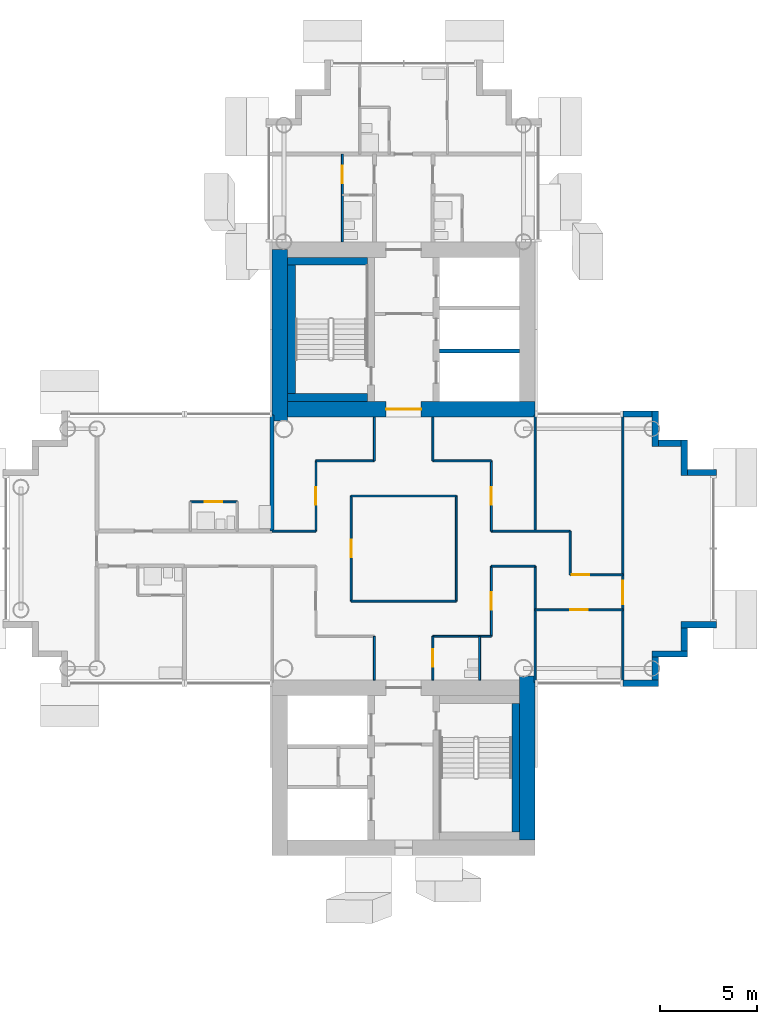
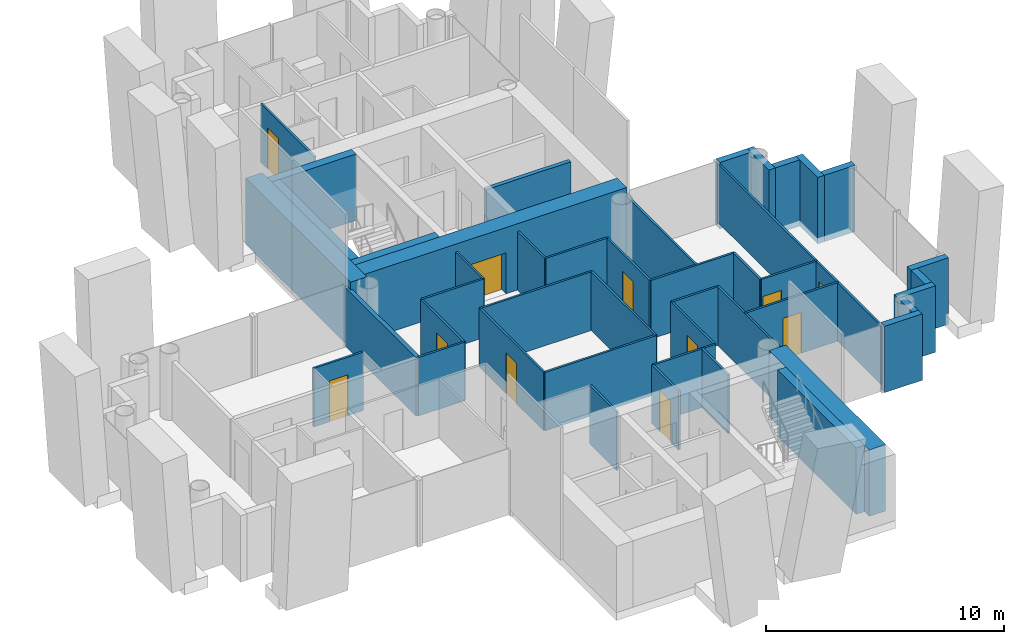
# One storey, part 10 of 18: 45 walls, 11 doors, 11 openings.
"""IFC4 building model written with IfcOpenShell, lengths in metres."""

from ifc_helpers import new_model, si_unit, direction, frame, frame_2d, origin, place, context, subcontext, project, spatial, rectangle, extrude, material, layer, layer_set, type_object, element, fill, save


model = new_model("IFC4")

# Units and contexts
model_context = context("Model", 3, precision=1e-05, world=origin(), true_north=direction((0.0, 1.0)))
body_context = subcontext(model_context, "Body", "Model", "MODEL_VIEW")
ifc_project = project(units=[si_unit("LENGTHUNIT", "METRE"), si_unit("AREAUNIT", "SQUARE_METRE"), si_unit("VOLUMEUNIT", "CUBIC_METRE"), si_unit("PLANEANGLEUNIT", "RADIAN"), si_unit("MASSUNIT", "GRAM", prefix="KILO")], contexts=[model_context])

# Site, building, storey
site_placement = place(None, origin())
site = spatial("IfcSite", under=ifc_project, at=site_placement, CompositionType="ELEMENT")
building_placement = place(site_placement, origin())
building = spatial("IfcBuilding", under=site, at=building_placement, Name="Ipe Terrace Towers", CompositionType="ELEMENT")
storey_placement = place(building_placement, frame((0.0, 0.0, 164.300048828125)))
storey = spatial("IfcBuildingStorey", under=building, at=storey_placement, Name="L45", CompositionType="ELEMENT", Elevation=164.300048828125)

# Walls
ifc_material_1 = material(Name="Concrete C40/50 with buff precast cladding", Category="concrete")
ifc_layer_1 = layer(ifc_material_1, 0.320068359375)
ifc_layer_set_1 = layer_set([ifc_layer_1], Name="BUFF CLADDING WALL 320")
wall_type_1 = type_object("IfcWallType", Name="BUFF CLADDING WALL 320", PredefinedType="STANDARD", material=ifc_layer_set_1)
wall_1_placement = place(storey_placement, frame((47.25, -6.909912109375, -0.300048828125), z_axis=(0.0, 0.0, 1.0), x_axis=(1.0, 0.0, 0.0)))
element("IfcWall", 1, at=wall_1_placement, inside=storey, type_object=wall_type_1, Name="T2-W-L45-03a wall", PredefinedType="STANDARD", context=body_context, shape_type="SweptSolid", body=[
    extrude(rectangle(XDim=1.820068359375, YDim=0.320068359375, at=frame_2d((0.91015625, 0.0))), origin(), (0.0, 0.0, 1.0), 3.39990234375),
])
wall_2_placement = place(storey_placement, frame((48.909912109375, -6.75, -0.300048828125), z_axis=(0.0, 0.0, 1.0), x_axis=(0.0, 1.0, 0.0)))
element("IfcWall", 2, at=wall_2_placement, inside=storey, type_object=wall_type_1, Name="T2-W-L45-04a wall", PredefinedType="STANDARD", context=body_context, shape_type="SweptSolid", body=[
    extrude(rectangle(XDim=1.179931640625, YDim=0.320068359375, at=frame_2d((0.58984375, 0.0))), origin(), (0.0, 0.0, 1.0), 3.39990234375),
])
wall_3_placement = place(storey_placement, frame((48.75, -5.409912109375, -0.300048828125), z_axis=(0.0, 0.0, 1.0), x_axis=(1.0, 0.0, 0.0)))
element("IfcWall", 3, at=wall_3_placement, inside=storey, type_object=wall_type_1, Name="T2-W-L45-05a wall", PredefinedType="STANDARD", context=body_context, shape_type="SweptSolid", body=[
    extrude(rectangle(XDim=1.820068359375, YDim=0.320068359375, at=frame_2d((0.91015625, 0.0))), origin(), (0.0, 0.0, 1.0), 3.39990234375),
])
wall_4_placement = place(storey_placement, frame((50.409912109375, -5.25, -0.300048828125), z_axis=(0.0, 0.0, 1.0), x_axis=(0.0, 1.0, 0.0)))
element("IfcWall", 4, at=wall_4_placement, inside=storey, type_object=wall_type_1, Name="T2-W-L45-06a wall", PredefinedType="STANDARD", context=body_context, shape_type="SweptSolid", body=[
    extrude(rectangle(XDim=1.179931640625, YDim=0.320068359375, at=frame_2d((0.58984375, 0.0))), origin(), (0.0, 0.0, 1.0), 3.39990234375),
])
wall_5_placement = place(storey_placement, frame((50.25, -3.909912109375, -0.300048828125), z_axis=(0.0, 0.0, 1.0), x_axis=(1.0, 0.0, 0.0)))
element("IfcWall", 5, at=wall_5_placement, inside=storey, type_object=wall_type_1, Name="T2-W-L45-07a wall", PredefinedType="STANDARD", context=body_context, shape_type="SweptSolid", body=[
    extrude(rectangle(XDim=1.820068359375, YDim=0.320068359375, at=frame_2d((0.91015625, 0.0))), origin(), (0.0, 0.0, 1.0), 3.39990234375),
])
wall_6_placement = place(storey_placement, frame((52.070068359375, 3.909912109375, -0.300048828125), z_axis=(0.0, 0.0, 1.0), x_axis=(-1.0, 0.0, 0.0)))
element("IfcWall", 6, at=wall_6_placement, inside=storey, type_object=wall_type_1, Name="T2-W-L45-09a wall", PredefinedType="STANDARD", context=body_context, shape_type="SweptSolid", body=[
    extrude(rectangle(XDim=1.5, YDim=0.320068359375, at=frame_2d((0.75, 0.0))), origin(), (0.0, 0.0, 1.0), 3.39990234375),
])
wall_7_placement = place(storey_placement, frame((50.409912109375, 3.75, -0.300048828125), z_axis=(0.0, 0.0, 1.0), x_axis=(0.0, 1.0, 0.0)))
element("IfcWall", 7, at=wall_7_placement, inside=storey, type_object=wall_type_1, Name="T2-W-L45-10a wall", PredefinedType="STANDARD", context=body_context, shape_type="SweptSolid", body=[
    extrude(rectangle(XDim=1.820068359375, YDim=0.320068359375, at=frame_2d((0.91015625, 0.0))), origin(), (0.0, 0.0, 1.0), 3.39990234375),
])
wall_8_placement = place(storey_placement, frame((50.25, 5.409912109375, -0.300048828125), z_axis=(0.0, 0.0, 1.0), x_axis=(-1.0, 0.0, 0.0)))
element("IfcWall", 8, at=wall_8_placement, inside=storey, type_object=wall_type_1, Name="T2-W-L45-11a wall", PredefinedType="STANDARD", context=body_context, shape_type="SweptSolid", body=[
    extrude(rectangle(XDim=1.179931640625, YDim=0.320068359375, at=frame_2d((0.58984375, 0.0))), origin(), (0.0, 0.0, 1.0), 3.39990234375),
])
wall_9_placement = place(storey_placement, frame((48.909912109375, 5.25, -0.300048828125), z_axis=(0.0, 0.0, 1.0), x_axis=(0.0, 1.0, 0.0)))
element("IfcWall", 9, at=wall_9_placement, inside=storey, type_object=wall_type_1, Name="T2-W-L45-12a wall", PredefinedType="STANDARD", context=body_context, shape_type="SweptSolid", body=[
    extrude(rectangle(XDim=1.820068359375, YDim=0.320068359375, at=frame_2d((0.91015625, 0.0))), origin(), (0.0, 0.0, 1.0), 3.39990234375),
])
wall_10_placement = place(storey_placement, frame((48.75, 6.909912109375, -0.300048828125), z_axis=(0.0, 0.0, 1.0), x_axis=(-1.0, 0.0, 0.0)))
element("IfcWall", 10, at=wall_10_placement, inside=storey, type_object=wall_type_1, Name="T2-W-L45-13a wall", PredefinedType="STANDARD", context=body_context, shape_type="SweptSolid", body=[
    extrude(rectangle(XDim=1.5, YDim=0.320068359375, at=frame_2d((0.75, 0.0))), origin(), (0.0, 0.0, 1.0), 3.39990234375),
])
ifc_material_2 = material(Name="Gypsum board partition", Category="plasterboard")
ifc_layer_2 = layer(ifc_material_2, 0.10009765625)
ifc_layer_set_2 = layer_set([ifc_layer_2], Name="Gypsum board partition 100 mm")
wall_type_2 = type_object("IfcWallType", Name="Gypsum board partition 100 mm", PredefinedType="PARTITIONING", material=ifc_layer_set_2)
wall_11_placement = place(storey_placement, frame((40.5, -4.5, 0.0), z_axis=(0.0, 0.0, 1.0), x_axis=(-1.0, 0.0, 0.0)))
element("IfcWall", 11, at=wall_11_placement, inside=storey, type_object=wall_type_2, Name="Gypsum board partition T2 L45 W01", PredefinedType="PARTITIONING", context=body_context, shape_type="SweptSolid", body=[
    extrude(rectangle(XDim=3.0, YDim=0.10009765625, at=frame_2d((1.5, 0.0))), origin(), (0.0, 0.0, 1.0), 3.0),
])

# Wall, opening, door
wall_12_placement = place(storey_placement, frame((47.25, -3.14990234375, 0.0), z_axis=(0.0, 0.0, 1.0), x_axis=(-1.0, 0.0, 0.0)))
wall_12 = element("IfcWall", 12, at=wall_12_placement, inside=storey, type_object=wall_type_2, Name="Gypsum board partition T2 L45 W03", PredefinedType="PARTITIONING", context=body_context, shape_type="SweptSolid", body=[
    extrude(rectangle(XDim=4.5, YDim=0.10009765625, at=frame_2d((2.25, 0.0))), origin(), (0.0, 0.0, 1.0), 3.0),
])
opening_1_placement = place(wall_12_placement, frame((1.800048828125, 0.0, 0.0)))
opening_1 = element("IfcOpeningElement", 13, at=opening_1_placement, cuts=wall_12, Name="Opening T2-Z3F-14", PredefinedType="OPENING", context=body_context, shape_type="SweptSolid", body=[
    extrude(rectangle(XDim=0.89990234375, YDim=2.10009765625, at=frame_2d((0.449951171875, 1.050048828125))), frame((0.0, 0.06005859375, 0.0), z_axis=(0.0, -1.0, 0.0), x_axis=(1.0, 0.0, 0.0)), (0.0, 0.0, 1.0), 0.1201171875),
])
ifc_material_3 = material(Name="Timber door leaf", Category="wood")
door_type_1 = type_object("IfcDoorType", Name="Lounge door 900 x 2100", OperationType="NOTDEFINED", PredefinedType="DOOR", material=ifc_material_3)
door_1_placement = place(opening_1_placement, origin())
door_1 = element("IfcDoor", 14, at=door_1_placement, inside=storey, type_object=door_type_1, Name="Lounge door T2-Z3F-14", OperationType="SINGLE_SWING_LEFT", OverallHeight=2.10009765625, OverallWidth=0.89990234375, PredefinedType="DOOR", context=body_context, shape_type="SweptSolid", body=[
    extrude(rectangle(XDim=0.89990234375, YDim=2.10009765625, at=frame_2d((0.449951171875, 1.050048828125))), frame((0.0, 0.02490234375, 0.0), z_axis=(0.0, -1.0, 0.0), x_axis=(1.0, 0.0, 0.0)), (0.0, 0.0, 1.0), 0.050048828125),
])
fill(opening_1, door_1)

# Wall
wall_13_placement = place(storey_placement, frame((38.699951171875, -2.699951171875, 0.0), z_axis=(0.0, 0.0, 1.0), x_axis=(-1.0, 0.0, 0.0)))
element("IfcWall", 15, at=wall_13_placement, inside=storey, type_object=wall_type_2, Name="Gypsum board partition T2 L45 W04", PredefinedType="PARTITIONING", context=body_context, shape_type="SweptSolid", body=[
    extrude(rectangle(XDim=5.39990234375, YDim=0.10009765625, at=frame_2d((2.699951171875, 0.0))), origin(), (0.0, 0.0, 1.0), 3.0),
])

# Wall, opening, door
wall_14_placement = place(storey_placement, frame((47.25, -1.35009765625, 0.0), z_axis=(0.0, 0.0, 1.0), x_axis=(-1.0, 0.0, 0.0)))
wall_14 = element("IfcWall", 16, at=wall_14_placement, inside=storey, type_object=wall_type_2, Name="Gypsum board partition T2 L45 W06", PredefinedType="PARTITIONING", context=body_context, shape_type="SweptSolid", body=[
    extrude(rectangle(XDim=2.699951171875, YDim=0.10009765625, at=frame_2d((1.35009765625, 0.0))), origin(), (0.0, 0.0, 1.0), 3.0),
])
opening_2_placement = place(wall_14_placement, frame((1.72998046875, 0.0, 0.0)))
opening_2 = element("IfcOpeningElement", 17, at=opening_2_placement, cuts=wall_14, Name="Opening T2-Z3F-13", PredefinedType="OPENING", context=body_context, shape_type="SweptSolid", body=[
    extrude(rectangle(XDim=0.89990234375, YDim=2.10009765625, at=frame_2d((0.449951171875, 1.050048828125))), frame((0.0, 0.06005859375, 0.0), z_axis=(0.0, -1.0, 0.0), x_axis=(1.0, 0.0, 0.0)), (0.0, 0.0, 1.0), 0.1201171875),
])
door_2_placement = place(opening_2_placement, origin())
door_2 = element("IfcDoor", 18, at=door_2_placement, inside=storey, type_object=door_type_1, Name="Lounge door T2-Z3F-13", OperationType="SINGLE_SWING_RIGHT", OverallHeight=2.10009765625, OverallWidth=0.89990234375, PredefinedType="DOOR", context=body_context, shape_type="SweptSolid", body=[
    extrude(rectangle(XDim=0.89990234375, YDim=2.10009765625, at=frame_2d((0.449951171875, 1.050048828125))), frame((0.0, 0.02490234375, 0.0), z_axis=(0.0, -1.0, 0.0), x_axis=(1.0, 0.0, 0.0)), (0.0, 0.0, 1.0), 0.050048828125),
])
fill(opening_2, door_2)

# Walls
wall_15_placement = place(storey_placement, frame((42.75, -0.89990234375, 0.0), z_axis=(0.0, 0.0, 1.0), x_axis=(-1.0, 0.0, 0.0)))
element("IfcWall", 19, at=wall_15_placement, inside=storey, type_object=wall_type_2, Name="Gypsum board partition T2 L45 W07", PredefinedType="PARTITIONING", context=body_context, shape_type="SweptSolid", body=[
    extrude(rectangle(XDim=2.25, YDim=0.10009765625, at=frame_2d((1.125, 0.0))), origin(), (0.0, 0.0, 1.0), 3.0),
])
wall_16_placement = place(storey_placement, frame((44.550048828125, 0.89990234375, 0.0), z_axis=(0.0, 0.0, 1.0), x_axis=(-1.0, 0.0, 0.0)))
element("IfcWall", 20, at=wall_16_placement, inside=storey, type_object=wall_type_2, Name="Gypsum board partition T2 L45 W10", PredefinedType="PARTITIONING", context=body_context, shape_type="SweptSolid", body=[
    extrude(rectangle(XDim=4.050048828125, YDim=0.10009765625, at=frame_2d((2.02490234375, 0.0))), origin(), (0.0, 0.0, 1.0), 3.0),
])
wall_17_placement = place(storey_placement, frame((31.5, 0.89990234375, 0.0), z_axis=(0.0, 0.0, 1.0), x_axis=(-1.0, 0.0, 0.0)))
element("IfcWall", 21, at=wall_17_placement, inside=storey, type_object=wall_type_2, Name="Gypsum board partition T2 L45 W11", PredefinedType="PARTITIONING", context=body_context, shape_type="SweptSolid", body=[
    extrude(rectangle(XDim=2.25, YDim=0.10009765625, at=frame_2d((1.125, 0.0))), origin(), (0.0, 0.0, 1.0), 3.0),
])

# Wall, opening, door
wall_18_placement = place(storey_placement, frame((27.449951171875, 2.39990234375, 0.0), z_axis=(0.0, 0.0, 1.0), x_axis=(-1.0, 0.0, 0.0)))
wall_18 = element("IfcWall", 22, at=wall_18_placement, inside=storey, type_object=wall_type_2, Name="Gypsum board partition T2 L45 W13", PredefinedType="PARTITIONING", context=body_context, shape_type="SweptSolid", body=[
    extrude(rectangle(XDim=2.39990234375, YDim=0.10009765625, at=frame_2d((1.199951171875, 0.0))), origin(), (0.0, 0.0, 1.0), 3.0),
])
opening_3_placement = place(wall_18_placement, frame((0.75, 0.0, 0.0)))
opening_3 = element("IfcOpeningElement", 23, at=opening_3_placement, cuts=wall_18, Name="Opening T2-Z3F-11", PredefinedType="OPENING", context=body_context, shape_type="SweptSolid", body=[
    extrude(rectangle(XDim=0.89990234375, YDim=2.10009765625, at=frame_2d((0.449951171875, 1.050048828125))), frame((0.0, 0.06005859375, 0.0), z_axis=(0.0, -1.0, 0.0), x_axis=(1.0, 0.0, 0.0)), (0.0, 0.0, 1.0), 0.1201171875),
])
ifc_material_4 = material(Name="Timber door leaf", Category="wood")
door_type_2 = type_object("IfcDoorType", Name="Bathroom door 900 x 2100", OperationType="NOTDEFINED", PredefinedType="DOOR", material=ifc_material_4)
door_3_placement = place(opening_3_placement, origin())
door_3 = element("IfcDoor", 24, at=door_3_placement, inside=storey, type_object=door_type_2, Name="Bathroom door T2-Z3F-11", OperationType="SINGLE_SWING_LEFT", OverallHeight=2.10009765625, OverallWidth=0.89990234375, PredefinedType="DOOR", context=body_context, shape_type="SweptSolid", body=[
    extrude(rectangle(XDim=0.89990234375, YDim=2.10009765625, at=frame_2d((0.449951171875, 1.050048828125))), frame((0.0, 0.02490234375, 0.0), z_axis=(0.0, -1.0, 0.0), x_axis=(1.0, 0.0, 0.0)), (0.0, 0.0, 1.0), 0.050048828125),
])
fill(opening_3, door_3)

# Walls
wall_19_placement = place(storey_placement, frame((38.699951171875, 2.699951171875, 0.0), z_axis=(0.0, 0.0, 1.0), x_axis=(-1.0, 0.0, 0.0)))
element("IfcWall", 25, at=wall_19_placement, inside=storey, type_object=wall_type_2, Name="Gypsum board partition T2 L45 W14", PredefinedType="PARTITIONING", context=body_context, shape_type="SweptSolid", body=[
    extrude(rectangle(XDim=5.39990234375, YDim=0.10009765625, at=frame_2d((2.699951171875, 0.0))), origin(), (0.0, 0.0, 1.0), 3.0),
])
for number, where, z_axis, x_axis, name in (
    (26, (40.5, 4.5, 0.0), (0.0, 0.0, 1.0), (-1.0, 0.0, 0.0), "Gypsum board partition T2 L45 W15"),
    (27, (34.5, 4.5, 0.0), (0.0, 0.0, 1.0), (-1.0, 0.0, 0.0), "Gypsum board partition T2 L45 W16"),
):
    element("IfcWall", number, at=place(storey_placement, frame(where, z_axis=z_axis, x_axis=x_axis)), inside=storey, type_object=wall_type_2, Name=name, PredefinedType="PARTITIONING", context=body_context, shape_type="SweptSolid", body=[
        extrude(rectangle(XDim=3.0, YDim=0.10009765625, at=frame_2d((1.5, 0.0))), origin(), (0.0, 0.0, 1.0), 3.0),
    ])

# Wall, opening, door
wall_20_placement = place(storey_placement, frame((47.25, -6.85009765625, 0.0), z_axis=(0.0, 0.0, 1.0), x_axis=(0.0, 1.0, 0.0)))
wall_20 = element("IfcWall", 28, at=wall_20_placement, inside=storey, type_object=wall_type_2, Name="Gypsum board partition T2 L45 W21", PredefinedType="PARTITIONING", context=body_context, shape_type="SweptSolid", body=[
    extrude(rectangle(XDim=13.7001953125, YDim=0.10009765625, at=frame_2d((6.85009765625, 0.0))), origin(), (0.0, 0.0, 1.0), 3.0),
])
opening_4_placement = place(wall_20_placement, frame((4.0, 0.0, 0.0)))
opening_4 = element("IfcOpeningElement", 29, at=opening_4_placement, cuts=wall_20, Name="Opening T2-Z3F-15", PredefinedType="OPENING", context=body_context, shape_type="SweptSolid", body=[
    extrude(rectangle(XDim=1.199951171875, YDim=2.10009765625, at=frame_2d((0.60009765625, 1.050048828125))), frame((0.0, 0.06005859375, 0.0), z_axis=(0.0, -1.0, 0.0), x_axis=(1.0, 0.0, 0.0)), (0.0, 0.0, 1.0), 0.1201171875),
])
ifc_material_5 = material(Name="Timber door leaf", Category="wood")
door_type_3 = type_object("IfcDoorType", Name="Lounge door 1200 x 2100", OperationType="NOTDEFINED", PredefinedType="DOOR", material=ifc_material_5)
door_4_placement = place(opening_4_placement, origin())
door_4 = element("IfcDoor", 30, at=door_4_placement, inside=storey, type_object=door_type_3, Name="Lounge door T2-Z3F-15", OperationType="SINGLE_SWING_LEFT", OverallHeight=2.10009765625, OverallWidth=1.199951171875, PredefinedType="DOOR", context=body_context, shape_type="SweptSolid", body=[
    extrude(rectangle(XDim=1.199951171875, YDim=2.10009765625, at=frame_2d((0.60009765625, 1.050048828125))), frame((0.0, 0.02490234375, 0.0), z_axis=(0.0, -1.0, 0.0), x_axis=(1.0, 0.0, 0.0)), (0.0, 0.0, 1.0), 0.050048828125),
])
fill(opening_4, door_4)

# Walls
wall_21_placement = place(storey_placement, frame((44.550048828125, -1.35009765625, 0.0), z_axis=(0.0, 0.0, 1.0), x_axis=(0.0, 1.0, 0.0)))
element("IfcWall", 31, at=wall_21_placement, inside=storey, type_object=wall_type_2, Name="Gypsum board partition T2 L45 W22", PredefinedType="PARTITIONING", context=body_context, shape_type="SweptSolid", body=[
    extrude(rectangle(XDim=2.25, YDim=0.10009765625, at=frame_2d((1.125, 0.0))), origin(), (0.0, 0.0, 1.0), 3.0),
])
for number, where, z_axis, x_axis, name in (
    (32, (42.75, -6.85009765625, 0.0), (0.0, 0.0, 1.0), (0.0, 1.0, 0.0), "Gypsum board partition T2 L45 W23"),
    (33, (42.75, 0.89990234375, 0.0), (0.0, 0.0, 1.0), (0.0, 1.0, 0.0), "Gypsum board partition T2 L45 W24"),
):
    element("IfcWall", number, at=place(storey_placement, frame(where, z_axis=z_axis, x_axis=x_axis)), inside=storey, type_object=wall_type_2, Name=name, PredefinedType="PARTITIONING", context=body_context, shape_type="SweptSolid", body=[
        extrude(rectangle(XDim=5.9501953125, YDim=0.10009765625, at=frame_2d((2.97509765625, 0.0))), origin(), (0.0, 0.0, 1.0), 3.0),
    ])

# Wall, opening, door
wall_22_placement = place(storey_placement, frame((40.5, -4.5, 0.0), z_axis=(0.0, 0.0, 1.0), x_axis=(0.0, 1.0, 0.0)))
wall_22 = element("IfcWall", 34, at=wall_22_placement, inside=storey, type_object=wall_type_2, Name="Gypsum board partition T2 L45 W25", PredefinedType="PARTITIONING", context=body_context, shape_type="SweptSolid", body=[
    extrude(rectangle(XDim=3.60009765625, YDim=0.10009765625, at=frame_2d((1.800048828125, 0.0))), origin(), (0.0, 0.0, 1.0), 3.0),
])
opening_5_placement = place(wall_22_placement, frame((1.35009765625, 0.0, 0.0)))
opening_5 = element("IfcOpeningElement", 35, at=opening_5_placement, cuts=wall_22, Name="Opening T2-Z3F-05", PredefinedType="OPENING", context=body_context, shape_type="SweptSolid", body=[
    extrude(rectangle(XDim=0.89990234375, YDim=2.10009765625, at=frame_2d((0.449951171875, 1.050048828125))), frame((0.0, 0.06005859375, 0.0), z_axis=(0.0, -1.0, 0.0), x_axis=(1.0, 0.0, 0.0)), (0.0, 0.0, 1.0), 0.1201171875),
])
door_5_placement = place(opening_5_placement, origin())
door_5 = element("IfcDoor", 36, at=door_5_placement, inside=storey, type_object=door_type_1, Name="Lounge door T2-Z3F-05", OperationType="SINGLE_SWING_LEFT", OverallHeight=2.10009765625, OverallWidth=0.89990234375, PredefinedType="DOOR", context=body_context, shape_type="SweptSolid", body=[
    extrude(rectangle(XDim=0.89990234375, YDim=2.10009765625, at=frame_2d((0.449951171875, 1.050048828125))), frame((0.0, 0.02490234375, 0.0), z_axis=(0.0, -1.0, 0.0), x_axis=(1.0, 0.0, 0.0)), (0.0, 0.0, 1.0), 0.050048828125),
])
fill(opening_5, door_5)

wall_23_placement = place(storey_placement, frame((40.5, 0.89990234375, 0.0), z_axis=(0.0, 0.0, 1.0), x_axis=(0.0, 1.0, 0.0)))
wall_23 = element("IfcWall", 37, at=wall_23_placement, inside=storey, type_object=wall_type_2, Name="Gypsum board partition T2 L45 W26", PredefinedType="PARTITIONING", context=body_context, shape_type="SweptSolid", body=[
    extrude(rectangle(XDim=3.60009765625, YDim=0.10009765625, at=frame_2d((1.800048828125, 0.0))), origin(), (0.0, 0.0, 1.0), 3.0),
])
opening_6_placement = place(wall_23_placement, frame((1.35009765625, 0.0, 0.0)))
opening_6 = element("IfcOpeningElement", 38, at=opening_6_placement, cuts=wall_23, Name="Opening T2-Z3F-06", PredefinedType="OPENING", context=body_context, shape_type="SweptSolid", body=[
    extrude(rectangle(XDim=0.89990234375, YDim=2.10009765625, at=frame_2d((0.449951171875, 1.050048828125))), frame((0.0, 0.06005859375, 0.0), z_axis=(0.0, -1.0, 0.0), x_axis=(1.0, 0.0, 0.0)), (0.0, 0.0, 1.0), 0.1201171875),
])
door_6_placement = place(opening_6_placement, origin())
door_6 = element("IfcDoor", 39, at=door_6_placement, inside=storey, type_object=door_type_1, Name="Lounge door T2-Z3F-06", OperationType="SINGLE_SWING_LEFT", OverallHeight=2.10009765625, OverallWidth=0.89990234375, PredefinedType="DOOR", context=body_context, shape_type="SweptSolid", body=[
    extrude(rectangle(XDim=0.89990234375, YDim=2.10009765625, at=frame_2d((0.449951171875, 1.050048828125))), frame((0.0, 0.02490234375, 0.0), z_axis=(0.0, -1.0, 0.0), x_axis=(1.0, 0.0, 0.0)), (0.0, 0.0, 1.0), 0.050048828125),
])
fill(opening_6, door_6)

# Walls
wall_24_placement = place(storey_placement, frame((39.89990234375, -6.75, 0.0), z_axis=(0.0, 0.0, 1.0), x_axis=(0.0, 1.0, 0.0)))
element("IfcWall", 40, at=wall_24_placement, inside=storey, type_object=wall_type_2, Name="Gypsum board partition T2 L45 W27", PredefinedType="PARTITIONING", context=body_context, shape_type="SweptSolid", body=[
    extrude(rectangle(XDim=2.25, YDim=0.10009765625, at=frame_2d((1.125, 0.0))), origin(), (0.0, 0.0, 1.0), 3.0),
])
wall_25_placement = place(storey_placement, frame((38.699951171875, -2.699951171875, 0.0), z_axis=(0.0, 0.0, 1.0), x_axis=(0.0, 1.0, 0.0)))
element("IfcWall", 41, at=wall_25_placement, inside=storey, type_object=wall_type_2, Name="Gypsum board partition T2 L45 W29", PredefinedType="PARTITIONING", context=body_context, shape_type="SweptSolid", body=[
    extrude(rectangle(XDim=5.39990234375, YDim=0.10009765625, at=frame_2d((2.699951171875, 0.0))), origin(), (0.0, 0.0, 1.0), 3.0),
])

# Wall, opening, door
wall_26_placement = place(storey_placement, frame((37.5, -6.75, 0.0), z_axis=(0.0, 0.0, 1.0), x_axis=(0.0, 1.0, 0.0)))
wall_26 = element("IfcWall", 42, at=wall_26_placement, inside=storey, type_object=wall_type_2, Name="Gypsum board partition T2 L45 W31", PredefinedType="PARTITIONING", context=body_context, shape_type="SweptSolid", body=[
    extrude(rectangle(XDim=2.25, YDim=0.10009765625, at=frame_2d((1.125, 0.0))), origin(), (0.0, 0.0, 1.0), 3.0),
])
opening_7_placement = place(wall_26_placement, frame((0.675048828125, 0.0, 0.0)))
opening_7 = element("IfcOpeningElement", 43, at=opening_7_placement, cuts=wall_26, Name="Opening T2-Z3F-02", PredefinedType="OPENING", context=body_context, shape_type="SweptSolid", body=[
    extrude(rectangle(XDim=0.89990234375, YDim=2.10009765625, at=frame_2d((0.449951171875, 1.050048828125))), frame((0.0, 0.06005859375, 0.0), z_axis=(0.0, -1.0, 0.0), x_axis=(1.0, 0.0, 0.0)), (0.0, 0.0, 1.0), 0.1201171875),
])
door_7_placement = place(opening_7_placement, origin())
door_7 = element("IfcDoor", 44, at=door_7_placement, inside=storey, type_object=door_type_2, Name="Bathroom door T2-Z3F-02", OperationType="SINGLE_SWING_RIGHT", OverallHeight=2.10009765625, OverallWidth=0.89990234375, PredefinedType="DOOR", context=body_context, shape_type="SweptSolid", body=[
    extrude(rectangle(XDim=0.89990234375, YDim=2.10009765625, at=frame_2d((0.449951171875, 1.050048828125))), frame((0.0, 0.02490234375, 0.0), z_axis=(0.0, -1.0, 0.0), x_axis=(1.0, 0.0, 0.0)), (0.0, 0.0, 1.0), 0.050048828125),
])
fill(opening_7, door_7)

# Walls
for number, where, z_axis, x_axis, name in (
    (45, (37.5, 4.5, 0.0), (0.0, 0.0, 1.0), (0.0, 1.0, 0.0), "Gypsum board partition T2 L45 W32"),
    (46, (34.5, -6.75, 0.0), (0.0, 0.0, 1.0), (0.0, 1.0, 0.0), "Gypsum board partition T2 L45 W35"),
    (47, (34.5, 4.5, 0.0), (0.0, 0.0, 1.0), (0.0, 1.0, 0.0), "Gypsum board partition T2 L45 W36"),
):
    element("IfcWall", number, at=place(storey_placement, frame(where, z_axis=z_axis, x_axis=x_axis)), inside=storey, type_object=wall_type_2, Name=name, PredefinedType="PARTITIONING", context=body_context, shape_type="SweptSolid", body=[
        extrude(rectangle(XDim=2.25, YDim=0.10009765625, at=frame_2d((1.125, 0.0))), origin(), (0.0, 0.0, 1.0), 3.0),
    ])

# Wall, opening, door
wall_27_placement = place(storey_placement, frame((33.300048828125, -2.699951171875, 0.0), z_axis=(0.0, 0.0, 1.0), x_axis=(0.0, 1.0, 0.0)))
wall_27 = element("IfcWall", 48, at=wall_27_placement, inside=storey, type_object=wall_type_2, Name="Gypsum board partition T2 L45 W39", PredefinedType="PARTITIONING", context=body_context, shape_type="SweptSolid", body=[
    extrude(rectangle(XDim=5.39990234375, YDim=0.10009765625, at=frame_2d((2.699951171875, 0.0))), origin(), (0.0, 0.0, 1.0), 3.0),
])
opening_8_placement = place(wall_27_placement, frame((2.25, 0.0, 0.0)))
opening_8 = element("IfcOpeningElement", 49, at=opening_8_placement, cuts=wall_27, Name="Opening T2-Z3F-01", PredefinedType="OPENING", context=body_context, shape_type="SweptSolid", body=[
    extrude(rectangle(XDim=0.89990234375, YDim=2.10009765625, at=frame_2d((0.449951171875, 1.050048828125))), frame((0.0, 0.06005859375, 0.0), z_axis=(0.0, -1.0, 0.0), x_axis=(1.0, 0.0, 0.0)), (0.0, 0.0, 1.0), 0.1201171875),
])
door_8_placement = place(opening_8_placement, origin())
door_8 = element("IfcDoor", 50, at=door_8_placement, inside=storey, type_object=door_type_1, Name="Lounge door T2-Z3F-01", OperationType="SINGLE_SWING_RIGHT", OverallHeight=2.10009765625, OverallWidth=0.89990234375, PredefinedType="DOOR", context=body_context, shape_type="SweptSolid", body=[
    extrude(rectangle(XDim=0.89990234375, YDim=2.10009765625, at=frame_2d((0.449951171875, 1.050048828125))), frame((0.0, 0.02490234375, 0.0), z_axis=(0.0, -1.0, 0.0), x_axis=(1.0, 0.0, 0.0)), (0.0, 0.0, 1.0), 0.050048828125),
])
fill(opening_8, door_8)

wall_28_placement = place(storey_placement, frame((32.85009765625, 15.75, 0.0), z_axis=(0.0, 0.0, 1.0), x_axis=(0.0, 1.0, 0.0)))
wall_28 = element("IfcWall", 51, at=wall_28_placement, inside=storey, type_object=wall_type_2, Name="Gypsum board partition T2 L45 W40", PredefinedType="PARTITIONING", context=body_context, shape_type="SweptSolid", body=[
    extrude(rectangle(XDim=4.5, YDim=0.10009765625, at=frame_2d((2.25, 0.0))), origin(), (0.0, 0.0, 1.0), 3.0),
])
opening_9_placement = place(wall_28_placement, frame((3.0, 0.0, 0.0)))
opening_9 = element("IfcOpeningElement", 52, at=opening_9_placement, cuts=wall_28, Name="Opening T2-Z3F-17", PredefinedType="OPENING", context=body_context, shape_type="SweptSolid", body=[
    extrude(rectangle(XDim=0.89990234375, YDim=2.10009765625, at=frame_2d((0.449951171875, 1.050048828125))), frame((0.0, 0.06005859375, 0.0), z_axis=(0.0, -1.0, 0.0), x_axis=(1.0, 0.0, 0.0)), (0.0, 0.0, 1.0), 0.1201171875),
])
ifc_material_6 = material(Name="Timber door leaf", Category="wood")
door_type_4 = type_object("IfcDoorType", Name="Bedroom door 900 x 2100", OperationType="NOTDEFINED", PredefinedType="DOOR", material=ifc_material_6)
door_9_placement = place(opening_9_placement, origin())
door_9 = element("IfcDoor", 53, at=door_9_placement, inside=storey, type_object=door_type_4, Name="Bedroom door T2-Z3F-17", OperationType="SINGLE_SWING_LEFT", OverallHeight=2.10009765625, OverallWidth=0.89990234375, PredefinedType="DOOR", context=body_context, shape_type="SweptSolid", body=[
    extrude(rectangle(XDim=0.89990234375, YDim=2.10009765625, at=frame_2d((0.449951171875, 1.050048828125))), frame((0.0, 0.02490234375, 0.0), z_axis=(0.0, -1.0, 0.0), x_axis=(1.0, 0.0, 0.0)), (0.0, 0.0, 1.0), 0.050048828125),
])
fill(opening_9, door_9)

wall_29_placement = place(storey_placement, frame((31.5, 0.89990234375, 0.0), z_axis=(0.0, 0.0, 1.0), x_axis=(0.0, 1.0, 0.0)))
wall_29 = element("IfcWall", 54, at=wall_29_placement, inside=storey, type_object=wall_type_2, Name="Gypsum board partition T2 L45 W42", PredefinedType="PARTITIONING", context=body_context, shape_type="SweptSolid", body=[
    extrude(rectangle(XDim=3.60009765625, YDim=0.10009765625, at=frame_2d((1.800048828125, 0.0))), origin(), (0.0, 0.0, 1.0), 3.0),
])
opening_10_placement = place(wall_29_placement, frame((1.35009765625, 0.0, 0.0)))
opening_10 = element("IfcOpeningElement", 55, at=opening_10_placement, cuts=wall_29, Name="Opening T2-Z3F-03", PredefinedType="OPENING", context=body_context, shape_type="SweptSolid", body=[
    extrude(rectangle(XDim=0.89990234375, YDim=2.10009765625, at=frame_2d((0.449951171875, 1.050048828125))), frame((0.0, 0.06005859375, 0.0), z_axis=(0.0, -1.0, 0.0), x_axis=(1.0, 0.0, 0.0)), (0.0, 0.0, 1.0), 0.1201171875),
])
door_10_placement = place(opening_10_placement, origin())
door_10 = element("IfcDoor", 56, at=door_10_placement, inside=storey, type_object=door_type_1, Name="Lounge door T2-Z3F-03", OperationType="SINGLE_SWING_RIGHT", OverallHeight=2.10009765625, OverallWidth=0.89990234375, PredefinedType="DOOR", context=body_context, shape_type="SweptSolid", body=[
    extrude(rectangle(XDim=0.89990234375, YDim=2.10009765625, at=frame_2d((0.449951171875, 1.050048828125))), frame((0.0, 0.02490234375, 0.0), z_axis=(0.0, -1.0, 0.0), x_axis=(1.0, 0.0, 0.0)), (0.0, 0.0, 1.0), 0.050048828125),
])
fill(opening_10, door_10)

# Walls
ifc_material_7 = material(Name="Gypsum board party wall", Category="plasterboard")
ifc_layer_3 = layer(ifc_material_7, 0.199951171875)
ifc_layer_set_3 = layer_set([ifc_layer_3], Name="Gypsum board party wall 200 mm")
wall_type_3 = type_object("IfcWallType", Name="Gypsum board party wall 200 mm", PredefinedType="SOLIDWALL", material=ifc_layer_set_3)
wall_30_placement = place(storey_placement, frame((41.949951171875, 10.14990234375, 0.0), z_axis=(0.0, 0.0, 1.0), x_axis=(-1.0, 0.0, 0.0)))
element("IfcWall", 57, at=wall_30_placement, inside=storey, type_object=wall_type_3, Name="Gypsum board party wall T2 L45 t2c1-shaft-div1", PredefinedType="SOLIDWALL", context=body_context, shape_type="SweptSolid", body=[
    extrude(rectangle(XDim=4.099853515625, YDim=0.199951171875, at=frame_2d((2.0498046875, 0.0))), origin(), (0.0, 0.0, 1.0), 3.0),
])
wall_31_placement = place(storey_placement, frame((29.25, 0.89990234375, 0.0), z_axis=(0.0, 0.0, 1.0), x_axis=(0.0, 1.0, 0.0)))
element("IfcWall", 58, at=wall_31_placement, inside=storey, type_object=wall_type_3, Name="Gypsum board party wall T2 L45 W44", PredefinedType="SOLIDWALL", context=body_context, shape_type="SweptSolid", body=[
    extrude(rectangle(XDim=5.9501953125, YDim=0.199951171875, at=frame_2d((2.97509765625, 0.0))), origin(), (0.0, 0.0, 1.0), 3.0),
])
ifc_material_8 = material(Name="Concrete C50/60", Category="concrete")
ifc_layer_4 = layer(ifc_material_8, 0.39990234375)
ifc_layer_set_4 = layer_set([ifc_layer_4], Name="RW400 CORE INFILL WALL 400 C50-60")
wall_type_4 = type_object("IfcWallType", Name="RW400 CORE INFILL WALL 400 C50-60", PredefinedType="SHEAR", material=ifc_layer_set_4)
wall_32_placement = place(storey_placement, frame((34.14990234375, 14.75, 0.0), z_axis=(0.0, 0.0, 1.0), x_axis=(-1.0, 0.0, 0.0)))
element("IfcWall", 59, at=wall_32_placement, inside=storey, type_object=wall_type_4, Name="Core infill wall T2-C1-far", PredefinedType="SHEAR", context=body_context, shape_type="SweptSolid", body=[
    extrude(rectangle(XDim=4.099853515625, YDim=0.39990234375, at=frame_2d((2.0498046875, 0.0))), origin(), (0.0, 0.0, 1.0), 3.39990234375),
])
wall_33_placement = place(storey_placement, frame((30.25, 7.949951171875, 0.0), z_axis=(0.0, 0.0, 1.0), x_axis=(0.0, 1.0, 0.0)))
element("IfcWall", 60, at=wall_33_placement, inside=storey, type_object=wall_type_4, Name="Core infill wall T2-C1-back", PredefinedType="SHEAR", context=body_context, shape_type="SweptSolid", body=[
    extrude(rectangle(XDim=6.60009765625, YDim=0.39990234375, at=frame_2d((3.300048828125, 0.0))), origin(), (0.0, 0.0, 1.0), 3.39990234375),
])
wall_34_placement = place(storey_placement, frame((34.14990234375, 7.75, 0.0), z_axis=(0.0, 0.0, 1.0), x_axis=(-1.0, 0.0, 0.0)))
element("IfcWall", 61, at=wall_34_placement, inside=storey, type_object=wall_type_4, Name="Core infill wall T2-C1-near", PredefinedType="SHEAR", context=body_context, shape_type="SweptSolid", body=[
    extrude(rectangle(XDim=4.099853515625, YDim=0.39990234375, at=frame_2d((2.0498046875, 0.0))), origin(), (0.0, 0.0, 1.0), 3.39990234375),
])
wall_35_placement = place(storey_placement, frame((41.75, -7.949951171875, 0.0), z_axis=(0.0, 0.0, 1.0), x_axis=(0.0, -1.0, 0.0)))
element("IfcWall", 62, at=wall_35_placement, inside=storey, type_object=wall_type_4, Name="Core infill wall T2-C2-back", PredefinedType="SHEAR", context=body_context, shape_type="SweptSolid", body=[
    extrude(rectangle(XDim=6.60009765625, YDim=0.39990234375, at=frame_2d((3.300048828125, 0.0))), origin(), (0.0, 0.0, 1.0), 3.39990234375),
])

# Wall, opening, door
ifc_material_9 = material(Name="Concrete C50/60", Category="concrete")
ifc_layer_5 = layer(ifc_material_9, 0.800048828125)
ifc_layer_set_5 = layer_set([ifc_layer_5], Name="RW800 CORE WALL 800 C50-60")
wall_type_5 = type_object("IfcWallType", Name="RW800 CORE WALL 800 C50-60", PredefinedType="SHEAR", material=ifc_layer_set_5)
wall_36_placement = place(storey_placement, frame((30.050048828125, 7.14990234375, 0.0), z_axis=(0.0, 0.0, 1.0), x_axis=(1.0, 0.0, 0.0)))
wall_36 = element("IfcWall", 63, at=wall_36_placement, inside=storey, type_object=wall_type_5, Name="Core wall T2-C1-Z3-W01", PredefinedType="SHEAR", context=body_context, shape_type="SweptSolid", body=[
    extrude(rectangle(XDim=12.699951171875, YDim=0.800048828125, at=frame_2d((6.35009765625, 0.0))), origin(), (0.0, 0.0, 1.0), 3.39990234375),
])
opening_11_placement = place(wall_36_placement, frame((5.050048828125, 0.0, 0.0)))
opening_11 = element("IfcOpeningElement", 64, at=opening_11_placement, cuts=wall_36, Name="Opening T2C1-ND", PredefinedType="OPENING", context=body_context, shape_type="SweptSolid", body=[
    extrude(rectangle(XDim=1.800048828125, YDim=2.10009765625, at=frame_2d((0.89990234375, 1.050048828125))), frame((0.0, 0.41015625, 0.0), z_axis=(0.0, -1.0, 0.0), x_axis=(1.0, 0.0, 0.0)), (0.0, 0.0, 1.0), 0.820068359375),
])
ifc_material_10 = material(Name="Fire-rated timber door leaf", Category="wood")
door_type_5 = type_object("IfcDoorType", Name="Fire door 1800 x 2100 FD30S", OperationType="NOTDEFINED", PredefinedType="DOOR", material=ifc_material_10)
door_11_placement = place(opening_11_placement, origin())
door_11 = element("IfcDoor", 65, at=door_11_placement, inside=storey, type_object=door_type_5, Name="Fire door T2C1-ND", OperationType="SINGLE_SWING_LEFT", OverallHeight=2.10009765625, OverallWidth=1.800048828125, PredefinedType="DOOR", context=body_context, shape_type="SweptSolid", body=[
    extrude(rectangle(XDim=1.800048828125, YDim=2.10009765625, at=frame_2d((0.89990234375, 1.050048828125))), frame((0.0, 0.02490234375, 0.0), z_axis=(0.0, -1.0, 0.0), x_axis=(1.0, 0.0, 0.0)), (0.0, 0.0, 1.0), 0.050048828125),
])
fill(opening_11, door_11)

# Walls
wall_37_placement = place(storey_placement, frame((29.64990234375, 15.347900390625, 0.0), z_axis=(0.0, 0.0, 1.0), x_axis=(0.0, -1.0, 0.0)))
element("IfcWall", 66, at=wall_37_placement, inside=storey, type_object=wall_type_5, Name="Core wall T2-C1-Z3-W04", PredefinedType="SHEAR", context=body_context, shape_type="SweptSolid", body=[
    extrude(rectangle(XDim=8.7958984375, YDim=0.800048828125, at=frame_2d((4.39794921875, 0.0))), origin(), (0.0, 0.0, 1.0), 3.39990234375),
])
wall_38_placement = place(storey_placement, frame((42.35009765625, -14.949951171875, 0.0), z_axis=(0.0, 0.0, 1.0), x_axis=(0.0, 1.0, 0.0)))
element("IfcWall", 67, at=wall_38_placement, inside=storey, type_object=wall_type_5, Name="Core wall T2-C2-Z3-W02", PredefinedType="SHEAR", context=body_context, shape_type="SweptSolid", body=[
    extrude(rectangle(XDim=8.39794921875, YDim=0.800048828125, at=frame_2d((4.198974609375, 0.0))), origin(), (0.0, 0.0, 1.0), 3.39990234375),
])

save(model, "model.ifc")
